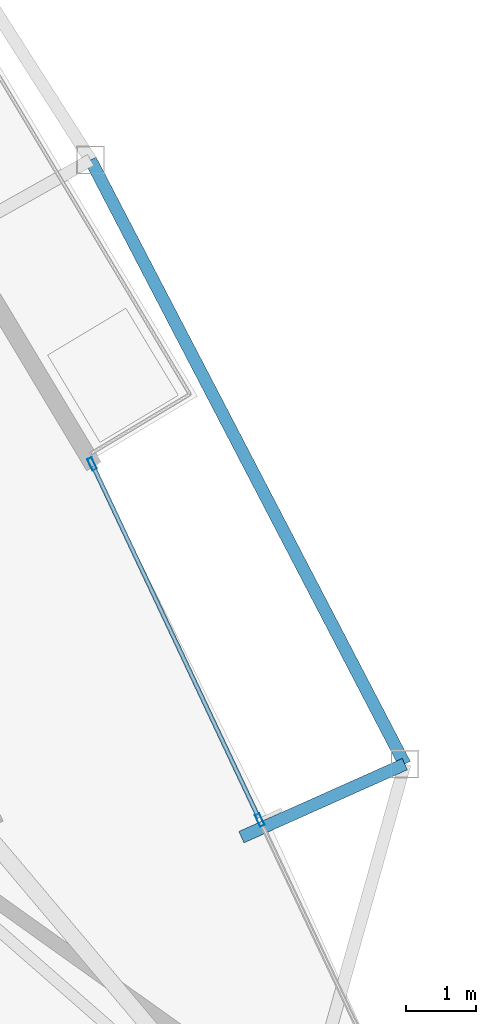
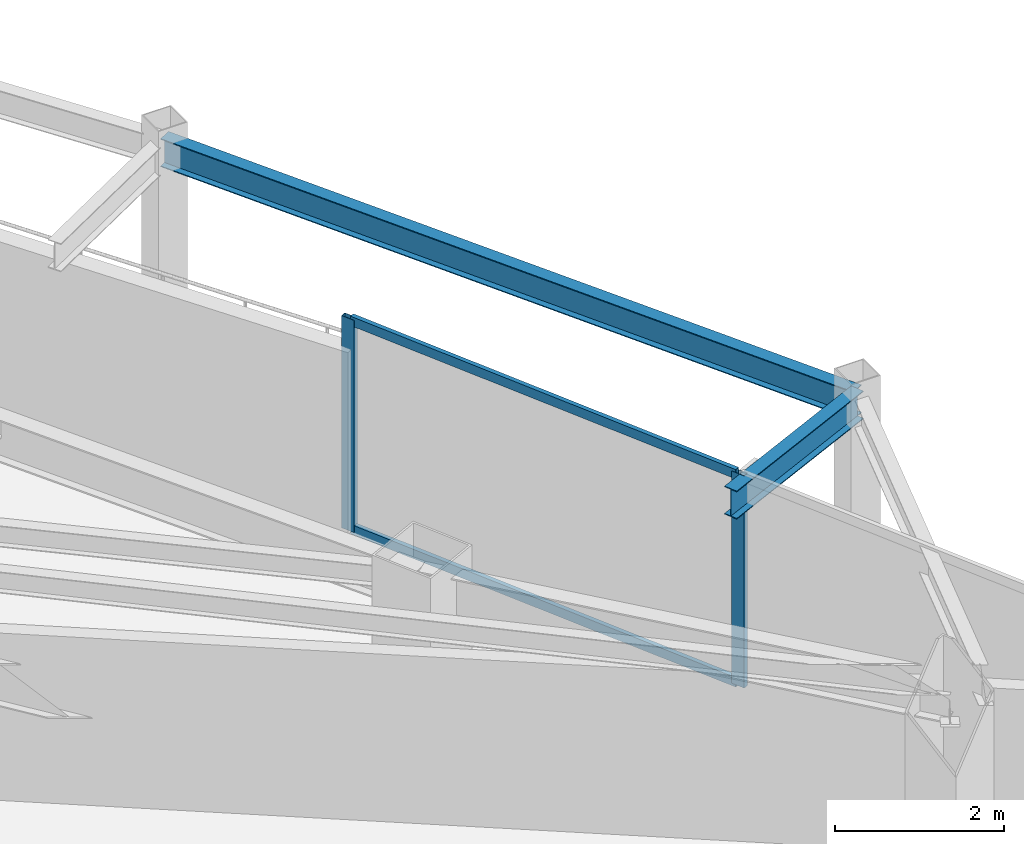
# One storey, part 16 of 30: 4 members, 2 beams, 1 element without a shape of its own.
"""IFC4 building model written with IfcOpenShell, lengths in metres."""

import ifcopenshell
import ifcopenshell.guid

model = None  # the IFC model being written
_history = None  # IfcOwnerHistory: only IFC2X3 demands one
_inside = {}  # id of a spatial element -> (the spatial element, [elements in it])
_under = {}  # id of a project, library or spatial element -> (it, [spatial elements below it])
_declared = {}  # id of a project -> (the project, [libraries it declares])
_typed = {}  # id of a type object -> (the type object, [elements of that type])
_made_of = {}  # id of a material, layer set ... -> (it, [elements and type objects made of it])


def new_model(schema):
    """Start an empty IFC model of exactly this schema.

    Asked for "IFC4X3", IfcOpenShell would pick the latest addendum, in which some entities
    have other attributes; the version numbers below select the first issue.
    IFC2X3 requires an IfcOwnerHistory on every rooted entity: one is made here for all.
    """
    global model, _history
    if schema == "IFC4X3":
        model = ifcopenshell.file(schema_version=(4, 3, 0, 0))
    else:
        model = ifcopenshell.file(schema=schema)
    _inside.clear()
    _under.clear()
    _declared.clear()
    _typed.clear()
    _made_of.clear()
    _history = None
    if model.schema == "IFC2X3":
        org = make("IfcOrganization", Name="unknown")
        user = make(
            "IfcPersonAndOrganization",
            ThePerson=make("IfcPerson", FamilyName="unknown"),
            TheOrganization=org,
        )
        app = make(
            "IfcApplication",
            ApplicationDeveloper=org,
            Version="unknown",
            ApplicationFullName="unknown",
            ApplicationIdentifier="unknown",
        )
        _history = make(
            "IfcOwnerHistory",
            OwningUser=user,
            OwningApplication=app,
            ChangeAction="ADDED",
            CreationDate=0,
        )
    return model


def make(cls, **values):
    """One entity of the class cls with the attributes given. An attribute that is None is left unset."""
    return model.create_entity(
        cls, **{name: value for name, value in values.items() if value is not None}
    )


def rooted(cls, **values):
    """An entity with a GlobalId (a new one), such as an element, a storey or a relation."""
    return make(cls, GlobalId=ifcopenshell.guid.new(), OwnerHistory=_history, **values)


def si_unit(unit_type, name, prefix=None):
    """IfcSIUnit, for example si_unit("LENGTHUNIT", "METRE", prefix="MILLI")."""
    return make("IfcSIUnit", UnitType=unit_type, Prefix=prefix, Name=name)


def assignment(units):
    """IfcUnitAssignment: the units of a project."""
    return None if units is None else make("IfcUnitAssignment", Units=units)


def point(xyz):
    """IfcCartesianPoint."""
    return None if xyz is None else make("IfcCartesianPoint", Coordinates=xyz)


def direction(xyz):
    """IfcDirection."""
    return None if xyz is None else make("IfcDirection", DirectionRatios=xyz)


def frame(location, z_axis=None, x_axis=None):
    """IfcAxis2Placement3D, a coordinate frame: its origin and axes. An axis left out is left unset."""
    return make(
        "IfcAxis2Placement3D",
        Location=point(location),
        Axis=direction(z_axis),
        RefDirection=direction(x_axis),
    )


def frame_2d(location, x_axis=None):
    """IfcAxis2Placement2D, a coordinate frame in the plane: its origin and x axis."""
    return make(
        "IfcAxis2Placement2D", Location=point(location), RefDirection=direction(x_axis)
    )


def origin():
    """The frame at (0, 0, 0) with its axes left unset."""
    return frame((0.0, 0.0, 0.0))


def origin_2d():
    """The frame at (0, 0) in the plane with its x axis left unset."""
    return frame_2d((0.0, 0.0))


def place(relative_to, where):
    """IfcLocalPlacement: puts the frame where relative to a parent placement (None: the world)."""
    return make(
        "IfcLocalPlacement", PlacementRelTo=relative_to, RelativePlacement=where
    )


def context(
    kind, dimensions, precision=None, world=None, true_north=None, identifier=None
):
    """IfcGeometricRepresentationContext, for example the 3D "Model" context."""
    return make(
        "IfcGeometricRepresentationContext",
        ContextIdentifier=identifier,
        ContextType=kind,
        CoordinateSpaceDimension=dimensions,
        Precision=precision,
        WorldCoordinateSystem=world,
        TrueNorth=true_north,
    )


def subcontext(parent, identifier, kind, view, scale=None):
    """IfcGeometricRepresentationSubContext, for example "Body" below "Model"."""
    return make(
        "IfcGeometricRepresentationSubContext",
        ContextIdentifier=identifier,
        ContextType=kind,
        ParentContext=parent,
        TargetScale=scale,
        TargetView=view,
    )


def project(units=None, contexts=None):
    """IfcProject with its units and contexts."""
    return rooted(
        "IfcProject",
        Name="project",
        RepresentationContexts=contexts,
        UnitsInContext=assignment(units),
    )


def spatial(cls, under=None, at=None, **own):
    """A site, building, storey or space (cls), placed at a placement, below another one or the project."""
    s = rooted(cls, ObjectPlacement=at, **own)
    if under is not None:
        _under.setdefault(under.id(), (under, []))[1].append(s)
    return s


def profile(cls, at=None, kind="AREA", **sizes):
    """A parametric profile (cls). Its sizes go by their IFC names, for example OverallWidth=200.0."""
    return make(cls, ProfileType=kind, Position=at, **sizes)


def hollow_rectangle(**sizes):
    """IfcRectangleHollowProfileDef."""
    return profile("IfcRectangleHollowProfileDef", **sizes)


def i_section(**sizes):
    """IfcIShapeProfileDef."""
    return profile("IfcIShapeProfileDef", **sizes)


def extrude(swept, where, along, depth):
    """IfcExtrudedAreaSolid: the profile swept, set in the frame where, extruded along a direction by depth."""
    return make(
        "IfcExtrudedAreaSolid",
        SweptArea=swept,
        Position=where,
        ExtrudedDirection=direction(along),
        Depth=depth,
    )


def shape(context_of_items, identifier, shape_type, items):
    """IfcShapeRepresentation: the items that make up one representation, for example the "Body"."""
    return make(
        "IfcShapeRepresentation",
        ContextOfItems=context_of_items,
        RepresentationIdentifier=identifier,
        RepresentationType=shape_type,
        Items=items,
    )


def material(Name=None, Category=None):
    """IfcMaterial."""
    return make("IfcMaterial", Name=Name, Category=Category)


def layer(
    of_material, thickness, ventilated=None, Name=None, Category=None, Priority=None
):
    """IfcMaterialLayer: one layer of a wall or slab, of a material (None: an air gap)."""
    return make(
        "IfcMaterialLayer",
        Material=of_material,
        LayerThickness=thickness,
        IsVentilated=ventilated,
        Name=Name,
        Category=Category,
        Priority=Priority,
    )


def layer_set(layers, Name=None):
    """IfcMaterialLayerSet."""
    return make("IfcMaterialLayerSet", MaterialLayers=layers, LayerSetName=Name)


def material_profile(
    of_material, cross_section, Name=None, Category=None, Priority=None
):
    """IfcMaterialProfile: a cross section and its material."""
    return make(
        "IfcMaterialProfile",
        Name=Name,
        Material=of_material,
        Profile=cross_section,
        Priority=Priority,
        Category=Category,
    )


def profile_set(profiles, Name=None, composite=None):
    """IfcMaterialProfileSet."""
    return make(
        "IfcMaterialProfileSet",
        Name=Name,
        MaterialProfiles=profiles,
        CompositeProfile=composite,
    )


def made_of(thing, what):
    """Note that an element or type object is made of a material, layer set ...; save() writes the relation."""
    if what is not None:
        _made_of.setdefault(what.id(), (what, []))[1].append(thing)
    return thing


def type_object(cls, material=None, **own):
    """A type object (cls), such as IfcWallType, which elements share."""
    return made_of(rooted(cls, **own), material)


def element(
    cls,
    number,
    at=None,
    inside=None,
    cuts=None,
    type_object=None,
    material=None,
    context=None,
    identifier="Body",
    shape_type=None,
    held_by="IfcProductDefinitionShape",
    body=None,
    shapes=None,
    **own,
):
    """One element of the class cls, such as IfcWall. Its Tag is "e" and its number.

    at: its placement. inside: the storey or other place that contains it. cuts: it is an
    opening in that element (IfcRelVoidsElement). A single representation is given by context,
    identifier, shape_type and body (its items); several are given by shapes. held_by: the class
    of the entity that holds the representations. save() writes the other relations.
    """
    e = rooted(cls, Tag="e%d" % number, ObjectPlacement=at, **own)
    if body is not None:
        shapes = [shape(context, identifier, shape_type, body)]
    if shapes is not None:
        e.Representation = make(held_by, Representations=shapes)
    if inside is not None:
        _inside.setdefault(inside.id(), (inside, []))[1].append(e)
    if cuts is not None:
        rooted(
            "IfcRelVoidsElement", RelatingBuildingElement=cuts, RelatedOpeningElement=e
        )
    if type_object is not None:
        _typed.setdefault(type_object.id(), (type_object, []))[1].append(e)
    return made_of(e, material)


def aggregate(whole, parts):
    """IfcRelAggregates: a whole, such as a stair, and the parts it consists of."""
    return rooted("IfcRelAggregates", RelatingObject=whole, RelatedObjects=parts)


def save(model, path):
    """Write the relations noted so far, then the file.

    IfcRelAggregates (storeys below a building ...), IfcRelContainedInSpatialStructure (elements
    in a storey), IfcRelDefinesByType, IfcRelAssociatesMaterial and IfcRelDeclares: one each for
    every whole, place, type object, material and project.
    """
    for whole, parts in _under.values():
        aggregate(whole, parts)
    for where, things in _inside.values():
        rooted(
            "IfcRelContainedInSpatialStructure",
            RelatedElements=things,
            RelatingStructure=where,
        )
    for kind, things in _typed.values():
        rooted("IfcRelDefinesByType", RelatedObjects=things, RelatingType=kind)
    for what, things in _made_of.values():
        rooted("IfcRelAssociatesMaterial", RelatedObjects=things, RelatingMaterial=what)
    for by, libraries in _declared.values():
        rooted("IfcRelDeclares", RelatingContext=by, RelatedDefinitions=libraries)
    model.write(path)


model = new_model("IFC4")

# Units and contexts
model_context = context("Model", 3, precision=1e-05, world=origin(), true_north=direction((0.0, 1.0)))
body_context = subcontext(model_context, "Body", "Model", "MODEL_VIEW")
ifc_project = project(units=[si_unit("LENGTHUNIT", "METRE"), si_unit("AREAUNIT", "SQUARE_METRE"), si_unit("VOLUMEUNIT", "CUBIC_METRE"), si_unit("PLANEANGLEUNIT", "RADIAN"), si_unit("MASSUNIT", "GRAM", prefix="KILO")], contexts=[model_context])

# Site, building, storey
site_placement = place(None, origin())
site = spatial("IfcSite", under=ifc_project, at=site_placement, CompositionType="ELEMENT")
building_placement = place(site_placement, origin())
building = spatial("IfcBuilding", under=site, at=building_placement, Name="Orvanel Arch Residences", CompositionType="ELEMENT")
storey_placement = place(building_placement, frame((0.0, 0.0, 139.699951171875)))
storey = spatial("IfcBuildingStorey", under=building, at=storey_placement, Name="L39", CompositionType="ELEMENT", Elevation=139.699951171875)

# Curtain wall, members
ifc_material_1 = material(Name="Bronze-anodised aluminium AA6063-T6", Category="aluminium")
ifc_layer = layer(ifc_material_1, 0.179931640625)
ifc_layer_set = layer_set([ifc_layer], Name="Bronze-anodised aluminium AA6063-T6")
curtain_wall_type = type_object("IfcCurtainWallType", Name="CW3-MID-SYS", PredefinedType="NOTDEFINED", material=ifc_layer_set)
curtain_wall_placement = place(storey_placement, origin())
curtain_wall = element("IfcCurtainWall", 1, at=curtain_wall_placement, inside=storey, type_object=curtain_wall_type, Name="L39 CW3-MID-SYS Unitised Curtain Wall", PredefinedType="NOTDEFINED")
ifc_material_profile_1 = material_profile(ifc_material_1, hollow_rectangle(XDim=0.070068359375, YDim=0.179931640625, WallThickness=0.00439453125, at=origin_2d()), Name="ALU180x70x4.5")
ifc_profile_set_1 = profile_set([ifc_material_profile_1], Name="Bronze-anodised aluminium AA6063-T6")
member_type_1 = type_object("IfcMemberType", Name="MUL-180x70", PredefinedType="MULLION", material=ifc_profile_set_1)
member_1_placement = place(storey_placement, frame((53.85498046875, 19.450439453125, 0.0), z_axis=(0.0, 0.0, 1.0), x_axis=(-0.904718317151, -0.426010289326, 0.0)))
member_1 = element("IfcMember", 2, at=member_1_placement, type_object=member_type_1, Name="CW-S3 mullion 2", PredefinedType="MULLION", context=body_context, shape_type="SweptSolid", body=[
    extrude(hollow_rectangle(XDim=0.070068359375, YDim=0.179931640625, WallThickness=0.00439453125, at=origin_2d()), origin(), (0.0, 0.0, 1.0), 3.06005859375),
])
member_2_placement = place(storey_placement, frame((51.46484375, 24.5263671875, 0.0), z_axis=(0.0, 0.0, 1.0), x_axis=(-0.904718317151, -0.426010289326, 0.0)))
member_2 = element("IfcMember", 3, at=member_2_placement, type_object=member_type_1, Name="CW-S3 mullion 3", PredefinedType="MULLION", context=body_context, shape_type="SweptSolid", body=[
    extrude(hollow_rectangle(XDim=0.070068359375, YDim=0.179931640625, WallThickness=0.00439453125, at=origin_2d()), origin(), (0.0, 0.0, 1.0), 3.06005859375),
])

# Beams
ifc_material_2 = material(Name="Structural steel AS/NZS 3679.1 Grade 300 (300 MPa)", Category="steel")
ifc_material_profile_2 = material_profile(ifc_material_2, i_section(OverallWidth=0.177978515625, OverallDepth=0.406005859375, WebThickness=0.0078125, FlangeThickness=0.0126953125, at=origin_2d()), Name="410UB59.7")
ifc_profile_set_2 = profile_set([ifc_material_profile_2], Name="Structural steel AS/NZS 3679.1 Grade 300 (300 MPa)")
beam_type = type_object("IfcBeamType", Name="OB-410UB-EXT", PredefinedType="SPANDREL", material=ifc_profile_set_2)
beam_1_placement = place(storey_placement, frame((53.593017578125, 19.2080078125, 2.85693359375), z_axis=(0.913020092411, 0.407914587695, 0.0), x_axis=(-0.407914587695, 0.913020092411, 0.0)))
element("IfcBeam", 4, at=beam_1_placement, inside=storey, type_object=beam_type, Name="L39 Outer Frame Radial Tie Beam 09", PredefinedType="SPANDREL", context=body_context, shape_type="SweptSolid", body=[
    extrude(i_section(OverallWidth=0.177978515625, OverallDepth=0.406005859375, WebThickness=0.0078125, FlangeThickness=0.0126953125, at=origin_2d()), origin(), (0.0, 0.0, 1.0), 2.549560546875),
])
beam_2_placement = place(storey_placement, frame((55.9208984375, 20.248046875, 2.85693359375), z_axis=(-0.461408987411, 0.88718754857, 0.0), x_axis=(-0.88718754857, -0.461408987411, 0.0)))
element("IfcBeam", 5, at=beam_2_placement, inside=storey, type_object=beam_type, Name="L39 Outer Perimeter Floor Ring Beam 09", PredefinedType="SPANDREL", context=body_context, shape_type="SweptSolid", body=[
    extrude(i_section(OverallWidth=0.177978515625, OverallDepth=0.406005859375, WebThickness=0.0078125, FlangeThickness=0.0126953125, at=origin_2d()), origin(), (0.0, 0.0, 1.0), 9.702392578125),
])

# Member
ifc_material_profile_3 = material_profile(ifc_material_1, hollow_rectangle(XDim=0.06005859375, YDim=0.135009765625, WallThickness=0.00390625, at=origin_2d()), Name="ALU135x60x4")
ifc_profile_set_3 = profile_set([ifc_material_profile_3], Name="Bronze-anodised aluminium AA6063-T6")
member_type_2 = type_object("IfcMemberType", Name="TRN-135x60", PredefinedType="USERDEFINED", material=ifc_profile_set_3)
member_3_placement = place(storey_placement, frame((53.840087890625, 19.482177734375, 0.030029296875), z_axis=(-0.426026213719, 0.904710818563, 0.0), x_axis=(-0.904710818563, -0.426026213719, 0.0)))
member_3 = element("IfcMember", 6, at=member_3_placement, type_object=member_type_2, Name="CW-S3 transom 2.1", ObjectType="TRANSOM", PredefinedType="USERDEFINED", context=body_context, shape_type="SweptSolid", body=[
    extrude(hollow_rectangle(XDim=0.06005859375, YDim=0.135009765625, WallThickness=0.00390625, at=origin_2d()), origin(), (0.0, 0.0, 1.0), 5.540283203125),
])

member_4_placement = place(storey_placement, frame((53.840087890625, 19.482177734375, 3.030029296875), z_axis=(-0.426026213719, 0.904710818563, 0.0), x_axis=(-0.904710818563, -0.426026213719, 0.0)))
member_4 = element("IfcMember", 7, at=member_4_placement, type_object=member_type_2, Name="CW-S3 transom 2.2", ObjectType="TRANSOM", PredefinedType="USERDEFINED", context=body_context, shape_type="SweptSolid", body=[
    extrude(hollow_rectangle(XDim=0.06005859375, YDim=0.135009765625, WallThickness=0.00390625, at=origin_2d()), origin(), (0.0, 0.0, 1.0), 5.540283203125),
])

aggregate(curtain_wall, [member_1, member_2, member_3, member_4])

save(model, "model.ifc")
